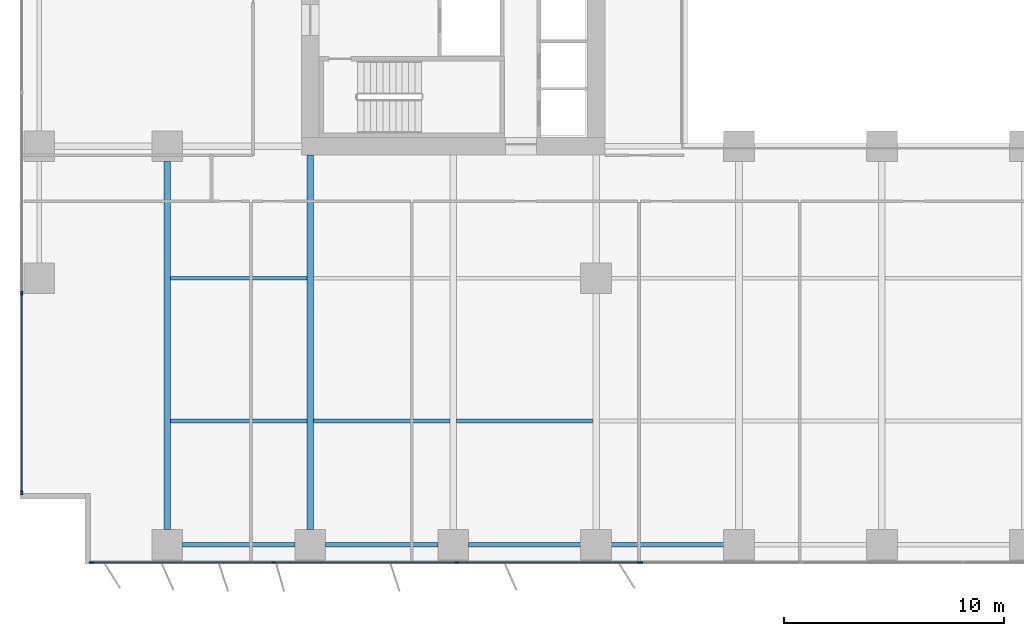
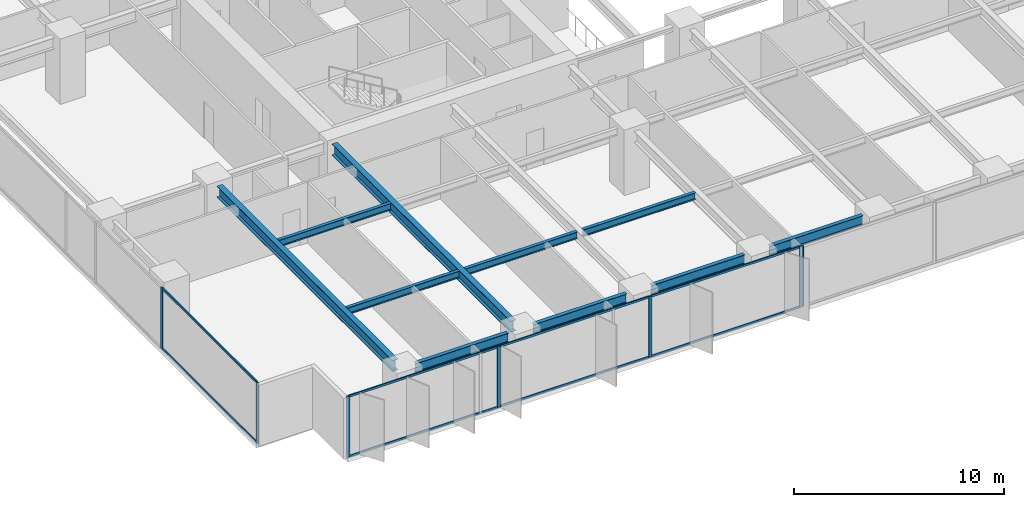
# One storey, part 2 of 20: 15 members, 10 beams, 3 elements without a shape of their own.
"""IFC4 building model written with IfcOpenShell, lengths in metres."""

import ifcopenshell
import ifcopenshell.guid

model = None  # the IFC model being written
_history = None  # IfcOwnerHistory: only IFC2X3 demands one
_inside = {}  # id of a spatial element -> (the spatial element, [elements in it])
_under = {}  # id of a project, library or spatial element -> (it, [spatial elements below it])
_declared = {}  # id of a project -> (the project, [libraries it declares])
_typed = {}  # id of a type object -> (the type object, [elements of that type])
_made_of = {}  # id of a material, layer set ... -> (it, [elements and type objects made of it])


def new_model(schema):
    """Start an empty IFC model of exactly this schema.

    Asked for "IFC4X3", IfcOpenShell would pick the latest addendum, in which some entities
    have other attributes; the version numbers below select the first issue.
    IFC2X3 requires an IfcOwnerHistory on every rooted entity: one is made here for all.
    """
    global model, _history
    if schema == "IFC4X3":
        model = ifcopenshell.file(schema_version=(4, 3, 0, 0))
    else:
        model = ifcopenshell.file(schema=schema)
    _inside.clear()
    _under.clear()
    _declared.clear()
    _typed.clear()
    _made_of.clear()
    _history = None
    if model.schema == "IFC2X3":
        org = make("IfcOrganization", Name="unknown")
        user = make(
            "IfcPersonAndOrganization",
            ThePerson=make("IfcPerson", FamilyName="unknown"),
            TheOrganization=org,
        )
        app = make(
            "IfcApplication",
            ApplicationDeveloper=org,
            Version="unknown",
            ApplicationFullName="unknown",
            ApplicationIdentifier="unknown",
        )
        _history = make(
            "IfcOwnerHistory",
            OwningUser=user,
            OwningApplication=app,
            ChangeAction="ADDED",
            CreationDate=0,
        )
    return model


def make(cls, **values):
    """One entity of the class cls with the attributes given. An attribute that is None is left unset."""
    return model.create_entity(
        cls, **{name: value for name, value in values.items() if value is not None}
    )


def rooted(cls, **values):
    """An entity with a GlobalId (a new one), such as an element, a storey or a relation."""
    return make(cls, GlobalId=ifcopenshell.guid.new(), OwnerHistory=_history, **values)


def si_unit(unit_type, name, prefix=None):
    """IfcSIUnit, for example si_unit("LENGTHUNIT", "METRE", prefix="MILLI")."""
    return make("IfcSIUnit", UnitType=unit_type, Prefix=prefix, Name=name)


def assignment(units):
    """IfcUnitAssignment: the units of a project."""
    return None if units is None else make("IfcUnitAssignment", Units=units)


def point(xyz):
    """IfcCartesianPoint."""
    return None if xyz is None else make("IfcCartesianPoint", Coordinates=xyz)


def direction(xyz):
    """IfcDirection."""
    return None if xyz is None else make("IfcDirection", DirectionRatios=xyz)


def frame(location, z_axis=None, x_axis=None):
    """IfcAxis2Placement3D, a coordinate frame: its origin and axes. An axis left out is left unset."""
    return make(
        "IfcAxis2Placement3D",
        Location=point(location),
        Axis=direction(z_axis),
        RefDirection=direction(x_axis),
    )


def frame_2d(location, x_axis=None):
    """IfcAxis2Placement2D, a coordinate frame in the plane: its origin and x axis."""
    return make(
        "IfcAxis2Placement2D", Location=point(location), RefDirection=direction(x_axis)
    )


def origin():
    """The frame at (0, 0, 0) with its axes left unset."""
    return frame((0.0, 0.0, 0.0))


def origin_2d():
    """The frame at (0, 0) in the plane with its x axis left unset."""
    return frame_2d((0.0, 0.0))


def place(relative_to, where):
    """IfcLocalPlacement: puts the frame where relative to a parent placement (None: the world)."""
    return make(
        "IfcLocalPlacement", PlacementRelTo=relative_to, RelativePlacement=where
    )


def context(
    kind, dimensions, precision=None, world=None, true_north=None, identifier=None
):
    """IfcGeometricRepresentationContext, for example the 3D "Model" context."""
    return make(
        "IfcGeometricRepresentationContext",
        ContextIdentifier=identifier,
        ContextType=kind,
        CoordinateSpaceDimension=dimensions,
        Precision=precision,
        WorldCoordinateSystem=world,
        TrueNorth=true_north,
    )


def subcontext(parent, identifier, kind, view, scale=None):
    """IfcGeometricRepresentationSubContext, for example "Body" below "Model"."""
    return make(
        "IfcGeometricRepresentationSubContext",
        ContextIdentifier=identifier,
        ContextType=kind,
        ParentContext=parent,
        TargetScale=scale,
        TargetView=view,
    )


def project(units=None, contexts=None):
    """IfcProject with its units and contexts."""
    return rooted(
        "IfcProject",
        Name="project",
        RepresentationContexts=contexts,
        UnitsInContext=assignment(units),
    )


def spatial(cls, under=None, at=None, **own):
    """A site, building, storey or space (cls), placed at a placement, below another one or the project."""
    s = rooted(cls, ObjectPlacement=at, **own)
    if under is not None:
        _under.setdefault(under.id(), (under, []))[1].append(s)
    return s


def profile(cls, at=None, kind="AREA", **sizes):
    """A parametric profile (cls). Its sizes go by their IFC names, for example OverallWidth=200.0."""
    return make(cls, ProfileType=kind, Position=at, **sizes)


def rectangle(**sizes):
    """IfcRectangleProfileDef."""
    return profile("IfcRectangleProfileDef", **sizes)


def i_section(**sizes):
    """IfcIShapeProfileDef."""
    return profile("IfcIShapeProfileDef", **sizes)


def extrude(swept, where, along, depth):
    """IfcExtrudedAreaSolid: the profile swept, set in the frame where, extruded along a direction by depth."""
    return make(
        "IfcExtrudedAreaSolid",
        SweptArea=swept,
        Position=where,
        ExtrudedDirection=direction(along),
        Depth=depth,
    )


def shape(context_of_items, identifier, shape_type, items):
    """IfcShapeRepresentation: the items that make up one representation, for example the "Body"."""
    return make(
        "IfcShapeRepresentation",
        ContextOfItems=context_of_items,
        RepresentationIdentifier=identifier,
        RepresentationType=shape_type,
        Items=items,
    )


def material(Name=None, Category=None):
    """IfcMaterial."""
    return make("IfcMaterial", Name=Name, Category=Category)


def layer(
    of_material, thickness, ventilated=None, Name=None, Category=None, Priority=None
):
    """IfcMaterialLayer: one layer of a wall or slab, of a material (None: an air gap)."""
    return make(
        "IfcMaterialLayer",
        Material=of_material,
        LayerThickness=thickness,
        IsVentilated=ventilated,
        Name=Name,
        Category=Category,
        Priority=Priority,
    )


def layer_set(layers, Name=None):
    """IfcMaterialLayerSet."""
    return make("IfcMaterialLayerSet", MaterialLayers=layers, LayerSetName=Name)


def material_profile(
    of_material, cross_section, Name=None, Category=None, Priority=None
):
    """IfcMaterialProfile: a cross section and its material."""
    return make(
        "IfcMaterialProfile",
        Name=Name,
        Material=of_material,
        Profile=cross_section,
        Priority=Priority,
        Category=Category,
    )


def profile_set(profiles, Name=None, composite=None):
    """IfcMaterialProfileSet."""
    return make(
        "IfcMaterialProfileSet",
        Name=Name,
        MaterialProfiles=profiles,
        CompositeProfile=composite,
    )


def made_of(thing, what):
    """Note that an element or type object is made of a material, layer set ...; save() writes the relation."""
    if what is not None:
        _made_of.setdefault(what.id(), (what, []))[1].append(thing)
    return thing


def type_object(cls, material=None, **own):
    """A type object (cls), such as IfcWallType, which elements share."""
    return made_of(rooted(cls, **own), material)


def element(
    cls,
    number,
    at=None,
    inside=None,
    cuts=None,
    type_object=None,
    material=None,
    context=None,
    identifier="Body",
    shape_type=None,
    held_by="IfcProductDefinitionShape",
    body=None,
    shapes=None,
    **own,
):
    """One element of the class cls, such as IfcWall. Its Tag is "e" and its number.

    at: its placement. inside: the storey or other place that contains it. cuts: it is an
    opening in that element (IfcRelVoidsElement). A single representation is given by context,
    identifier, shape_type and body (its items); several are given by shapes. held_by: the class
    of the entity that holds the representations. save() writes the other relations.
    """
    e = rooted(cls, Tag="e%d" % number, ObjectPlacement=at, **own)
    if body is not None:
        shapes = [shape(context, identifier, shape_type, body)]
    if shapes is not None:
        e.Representation = make(held_by, Representations=shapes)
    if inside is not None:
        _inside.setdefault(inside.id(), (inside, []))[1].append(e)
    if cuts is not None:
        rooted(
            "IfcRelVoidsElement", RelatingBuildingElement=cuts, RelatedOpeningElement=e
        )
    if type_object is not None:
        _typed.setdefault(type_object.id(), (type_object, []))[1].append(e)
    return made_of(e, material)


def aggregate(whole, parts):
    """IfcRelAggregates: a whole, such as a stair, and the parts it consists of."""
    return rooted("IfcRelAggregates", RelatingObject=whole, RelatedObjects=parts)


def save(model, path):
    """Write the relations noted so far, then the file.

    IfcRelAggregates (storeys below a building ...), IfcRelContainedInSpatialStructure (elements
    in a storey), IfcRelDefinesByType, IfcRelAssociatesMaterial and IfcRelDeclares: one each for
    every whole, place, type object, material and project.
    """
    for whole, parts in _under.values():
        aggregate(whole, parts)
    for where, things in _inside.values():
        rooted(
            "IfcRelContainedInSpatialStructure",
            RelatedElements=things,
            RelatingStructure=where,
        )
    for kind, things in _typed.values():
        rooted("IfcRelDefinesByType", RelatedObjects=things, RelatingType=kind)
    for what, things in _made_of.values():
        rooted("IfcRelAssociatesMaterial", RelatedObjects=things, RelatingMaterial=what)
    for by, libraries in _declared.values():
        rooted("IfcRelDeclares", RelatingContext=by, RelatedDefinitions=libraries)
    model.write(path)


model = new_model("IFC4")

# Units and contexts
model_context = context("Model", 3, precision=1e-05, world=origin(), true_north=direction((0.0, 1.0)))
body_context = subcontext(model_context, "Body", "Model", "MODEL_VIEW")
ifc_project = project(units=[si_unit("LENGTHUNIT", "METRE"), si_unit("AREAUNIT", "SQUARE_METRE"), si_unit("VOLUMEUNIT", "CUBIC_METRE"), si_unit("PLANEANGLEUNIT", "RADIAN"), si_unit("MASSUNIT", "GRAM", prefix="KILO")], contexts=[model_context])

# Site, building, storey
site_placement = place(None, origin())
site = spatial("IfcSite", under=ifc_project, at=site_placement, CompositionType="ELEMENT")
building_placement = place(site_placement, origin())
building = spatial("IfcBuilding", under=site, at=building_placement, Name="Putna Gate Headquarters", CompositionType="ELEMENT")
storey_placement = place(building_placement, frame((0.0, 0.0, 69.60009765625)))
storey = spatial("IfcBuildingStorey", under=building, at=storey_placement, Name="L16", CompositionType="ELEMENT", Elevation=69.60009765625)

# Beams
ifc_material_1 = material(Name="Steel S355J2", Category="steel")
ifc_material_profile_1 = material_profile(ifc_material_1, i_section(OverallWidth=0.300048828125, OverallDepth=0.64990234375, WebThickness=0.01611328125, FlangeThickness=0.031005859375, at=origin_2d()), Name="Steel S355J2")
ifc_profile_set_1 = profile_set([ifc_material_profile_1], Name="Steel S355J2")
beam_type_1 = type_object("IfcBeamType", Name="BM-GIRD-Z1-HEB650", PredefinedType="USERDEFINED", material=ifc_profile_set_1)
beam_1_placement = place(storey_placement, frame((6.5, 1.568115234375, 3.224853515625), z_axis=(0.0, 1.0, 0.0), x_axis=(-1.0, 0.0, 0.0)))
element("IfcBeam", 1, at=beam_1_placement, inside=storey, type_object=beam_type_1, Name="L16 South Primary Girder X6", ObjectType="GIRDER", PredefinedType="USERDEFINED", context=body_context, shape_type="SweptSolid", body=[
    extrude(i_section(OverallWidth=0.300048828125, OverallDepth=0.64990234375, WebThickness=0.01611328125, FlangeThickness=0.031005859375, at=origin_2d()), origin(), (0.0, 0.0, 1.0), 16.743896484375),
])
beam_2_placement = place(storey_placement, frame((13.0, 1.568115234375, 3.224853515625), z_axis=(0.0, 1.0, 0.0), x_axis=(-1.0, 0.0, 0.0)))
element("IfcBeam", 2, at=beam_2_placement, inside=storey, type_object=beam_type_1, Name="L16 South Primary Girder X13", ObjectType="GIRDER", PredefinedType="USERDEFINED", context=body_context, shape_type="SweptSolid", body=[
    extrude(i_section(OverallWidth=0.300048828125, OverallDepth=0.64990234375, WebThickness=0.01611328125, FlangeThickness=0.031005859375, at=origin_2d()), origin(), (0.0, 0.0, 1.0), 17.046875),
])
ifc_material_profile_2 = material_profile(ifc_material_1, i_section(OverallWidth=0.179931640625, OverallDepth=0.39990234375, WebThickness=0.008544921875, FlangeThickness=0.013427734375, at=origin_2d()), Name="Steel S355J2")
ifc_profile_set_2 = profile_set([ifc_material_profile_2], Name="Steel S355J2")
beam_type_2 = type_object("IfcBeamType", Name="BM-SEC-Z1-IPE400", PredefinedType="BEAM", material=ifc_profile_set_2)
for number, where, z_axis, x_axis, name in (
    (3, (6.654052734375, 6.5, 3.349853515625), (1.0, 0.0, 0.0), (0.0, 1.0, 0.0), "L16 South Secondary Beam 1"),
    (4, (6.654052734375, 13.0, 3.349853515625), (1.0, 0.0, 0.0), (0.0, 1.0, 0.0), "L16 South Secondary Beam 1"),
    (5, (13.154052734375, 6.5, 3.349853515625), (1.0, 0.0, 0.0), (0.0, 1.0, 0.0), "L16 South Secondary Beam 2"),
    (6, (19.654052734375, 6.5, 3.349853515625), (1.0, 0.0, 0.0), (0.0, 1.0, 0.0), "L16 South Secondary Beam 3"),
):
    element("IfcBeam", number, at=place(storey_placement, frame(where, z_axis=z_axis, x_axis=x_axis)), inside=storey, type_object=beam_type_2, Name=name, PredefinedType="BEAM", context=body_context, shape_type="SweptSolid", body=[
        extrude(i_section(OverallWidth=0.179931640625, OverallDepth=0.39990234375, WebThickness=0.008544921875, FlangeThickness=0.013427734375, at=origin_2d()), origin(), (0.0, 0.0, 1.0), 6.19189453125),
    ])
ifc_material_profile_3 = material_profile(ifc_material_1, i_section(OverallWidth=0.2099609375, OverallDepth=0.550048828125, WebThickness=0.010986328125, FlangeThickness=0.01708984375, at=origin_2d()), Name="Steel S355J2")
ifc_profile_set_3 = profile_set([ifc_material_profile_3], Name="Steel S355J2")
beam_type_3 = type_object("IfcBeamType", Name="BM-SPAN-Z1-IPE550", PredefinedType="SPANDREL", material=ifc_profile_set_3)
for number, where, z_axis, x_axis, name in (
    (7, (7.18798828125, 0.8798828125, 3.27490234375), (1.0, 0.0, 0.0), (0.0, 1.0, 0.0), "L16 S Perimeter Spandrel 1"),
    (8, (13.68798828125, 0.8798828125, 3.27490234375), (1.0, 0.0, 0.0), (0.0, 1.0, 0.0), "L16 S Perimeter Spandrel 2"),
    (9, (20.18798828125, 0.8798828125, 3.27490234375), (1.0, 0.0, 0.0), (0.0, 1.0, 0.0), "L16 S Perimeter Spandrel 3"),
    (10, (26.68798828125, 0.8798828125, 3.27490234375), (1.0, 0.0, 0.0), (0.0, 1.0, 0.0), "L16 S Perimeter Spandrel 4"),
):
    element("IfcBeam", number, at=place(storey_placement, frame(where, z_axis=z_axis, x_axis=x_axis)), inside=storey, type_object=beam_type_3, Name=name, PredefinedType="SPANDREL", context=body_context, shape_type="SweptSolid", body=[
        extrude(i_section(OverallWidth=0.2099609375, OverallDepth=0.550048828125, WebThickness=0.010986328125, FlangeThickness=0.01708984375, at=origin_2d()), origin(), (0.0, 0.0, 1.0), 5.1240234375),
    ])

# Curtain wall, members
ifc_material_2 = material(Name="Anodised bronze aluminium curtain wall", Category="aluminium")
ifc_layer_1 = layer(ifc_material_2, 0.179931640625)
ifc_layer_set_1 = layer_set([ifc_layer_1], Name="Anodised bronze aluminium curtain wall")
curtain_wall_type_1 = type_object("IfcCurtainWallType", Name="CW-SYS-Z1", PredefinedType="USERDEFINED", material=ifc_layer_set_1)
curtain_wall_1_placement = place(storey_placement, origin())
curtain_wall_1 = element("IfcCurtainWall", 11, at=curtain_wall_1_placement, inside=storey, type_object=curtain_wall_type_1, Name="L16 South West Curtain Wall", ObjectType="STICK CURTAIN WALL", PredefinedType="USERDEFINED")
ifc_material_3 = material(Name="Anodised bronze aluminium EN AW-6060", Category="aluminium")
ifc_material_profile_4 = material_profile(ifc_material_3, rectangle(XDim=0.070068359375, YDim=0.179931640625, at=origin_2d()), Name="Anodised bronze aluminium EN AW-6060")
ifc_profile_set_4 = profile_set([ifc_material_profile_4], Name="Anodised bronze aluminium EN AW-6060")
member_type_1 = type_object("IfcMemberType", Name="MULL-CWM-1", PredefinedType="MULLION", material=ifc_profile_set_4)
member_1_placement = place(storey_placement, frame((3.034912109375, 0.080078125, 0.0), z_axis=(0.0, 0.0, 1.0), x_axis=(0.0, 1.0, 0.0)))
member_1 = element("IfcMember", 12, at=member_1_placement, type_object=member_type_1, Name="CWS-1 mullion 1", PredefinedType="MULLION", context=body_context, shape_type="SweptSolid", body=[
    extrude(rectangle(XDim=0.070068359375, YDim=0.179931640625, at=origin_2d()), origin(), (0.0, 0.0, 1.0), 3.5498046875),
])
member_2_placement = place(storey_placement, frame((11.333251953125, 0.080078125, 0.0), z_axis=(0.0, 0.0, 1.0), x_axis=(0.0, 1.0, 0.0)))
member_2 = element("IfcMember", 13, at=member_2_placement, type_object=member_type_1, Name="CWS-1 mullion 2", PredefinedType="MULLION", context=body_context, shape_type="SweptSolid", body=[
    extrude(rectangle(XDim=0.070068359375, YDim=0.179931640625, at=origin_2d()), origin(), (0.0, 0.0, 1.0), 3.5498046875),
])
member_3_placement = place(storey_placement, frame((19.666748046875, 0.080078125, 0.0), z_axis=(0.0, 0.0, 1.0), x_axis=(0.0, 1.0, 0.0)))
member_3 = element("IfcMember", 14, at=member_3_placement, type_object=member_type_1, Name="CWS-1 mullion 3", PredefinedType="MULLION", context=body_context, shape_type="SweptSolid", body=[
    extrude(rectangle(XDim=0.070068359375, YDim=0.179931640625, at=origin_2d()), origin(), (0.0, 0.0, 1.0), 3.5498046875),
])
member_4_placement = place(storey_placement, frame((27.965087890625, 0.080078125, 0.0), z_axis=(0.0, 0.0, 1.0), x_axis=(0.0, 1.0, 0.0)))
member_4 = element("IfcMember", 15, at=member_4_placement, type_object=member_type_1, Name="CWS-1 mullion 4", PredefinedType="MULLION", context=body_context, shape_type="SweptSolid", body=[
    extrude(rectangle(XDim=0.070068359375, YDim=0.179931640625, at=origin_2d()), origin(), (0.0, 0.0, 1.0), 3.5498046875),
])

curtain_wall_2_placement = place(storey_placement, origin())
curtain_wall_2 = element("IfcCurtainWall", 16, at=curtain_wall_2_placement, inside=storey, type_object=curtain_wall_type_1, Name="L16 West Curtain Wall", ObjectType="STICK CURTAIN WALL", PredefinedType="USERDEFINED")
member_5_placement = place(storey_placement, frame((-0.1201171875, 3.235107421875, 0.0), z_axis=(0.0, 0.0, 1.0), x_axis=(-1.0, 0.0, 0.0)))
member_5 = element("IfcMember", 17, at=member_5_placement, type_object=member_type_1, Name="CWS-1 mullion 1", PredefinedType="MULLION", context=body_context, shape_type="SweptSolid", body=[
    extrude(rectangle(XDim=0.070068359375, YDim=0.179931640625, at=origin_2d()), origin(), (0.0, 0.0, 1.0), 3.5498046875),
])
member_6_placement = place(storey_placement, frame((-0.1201171875, 12.320068359375, 0.0), z_axis=(0.0, 0.0, 1.0), x_axis=(-1.0, 0.0, 0.0)))
member_6 = element("IfcMember", 18, at=member_6_placement, type_object=member_type_1, Name="CWS-1 mullion 2", PredefinedType="MULLION", context=body_context, shape_type="SweptSolid", body=[
    extrude(rectangle(XDim=0.070068359375, YDim=0.179931640625, at=origin_2d()), origin(), (0.0, 0.0, 1.0), 3.5498046875),
])

# Curtain wall, member
ifc_layer_2 = layer(ifc_material_2, 0.179931640625)
ifc_layer_set_2 = layer_set([ifc_layer_2], Name="Anodised bronze aluminium curtain wall")
curtain_wall_type_2 = type_object("IfcCurtainWallType", Name="CW-SYS-ATR", PredefinedType="USERDEFINED", material=ifc_layer_set_2)
curtain_wall_3_placement = place(storey_placement, origin())
curtain_wall_3 = element("IfcCurtainWall", 19, at=curtain_wall_3_placement, inside=storey, type_object=curtain_wall_type_2, Name="L16 South Atrium Clear Glazing", ObjectType="ATRIUM GLAZING", PredefinedType="USERDEFINED")
ifc_material_profile_5 = material_profile(ifc_material_3, rectangle(XDim=0.070068359375, YDim=0.179931640625, at=origin_2d()), Name="Anodised bronze aluminium EN AW-6060")
ifc_profile_set_5 = profile_set([ifc_material_profile_5], Name="Anodised bronze aluminium EN AW-6060")
member_type_2 = type_object("IfcMemberType", Name="MULL-CWM-AT", PredefinedType="MULLION", material=ifc_profile_set_5)
member_7_placement = place(storey_placement, frame((28.034912109375, 0.080078125, 0.0), z_axis=(0.0, 0.0, 1.0), x_axis=(0.0, 1.0, 0.0)))
member_7 = element("IfcMember", 20, at=member_7_placement, type_object=member_type_2, Name="CWS-AT mullion 1", PredefinedType="MULLION", context=body_context, shape_type="SweptSolid", body=[
    extrude(rectangle(XDim=0.070068359375, YDim=0.179931640625, at=origin_2d()), origin(), (0.0, 0.0, 1.0), 3.5498046875),
])
aggregate(curtain_wall_3, [member_7])

# Member
ifc_material_profile_6 = material_profile(ifc_material_3, rectangle(XDim=0.06494140625, YDim=0.1201171875, at=origin_2d()), Name="Anodised bronze aluminium EN AW-6060")
ifc_profile_set_6 = profile_set([ifc_material_profile_6], Name="Anodised bronze aluminium EN AW-6060")
member_type_3 = type_object("IfcMemberType", Name="TRAN-CWT-1", PredefinedType="USERDEFINED", material=ifc_profile_set_6)
member_8_placement = place(storey_placement, frame((3.070068359375, 0.080078125, 0.032470703125), z_axis=(1.0, 0.0, 0.0), x_axis=(0.0, 1.0, 0.0)))
member_8 = element("IfcMember", 21, at=member_8_placement, type_object=member_type_3, Name="CWS-1 transom 1.1", ObjectType="TRANSOM", PredefinedType="USERDEFINED", context=body_context, shape_type="SweptSolid", body=[
    extrude(rectangle(XDim=0.06494140625, YDim=0.1201171875, at=origin_2d()), origin(), (0.0, 0.0, 1.0), 8.228271484375),
])

member_9_placement = place(storey_placement, frame((3.070068359375, 0.080078125, 3.517333984375), z_axis=(1.0, 0.0, 0.0), x_axis=(0.0, 1.0, 0.0)))
member_9 = element("IfcMember", 22, at=member_9_placement, type_object=member_type_3, Name="CWS-1 transom 1.2", ObjectType="TRANSOM", PredefinedType="USERDEFINED", context=body_context, shape_type="SweptSolid", body=[
    extrude(rectangle(XDim=0.06494140625, YDim=0.1201171875, at=origin_2d()), origin(), (0.0, 0.0, 1.0), 8.228271484375),
])

member_10_placement = place(storey_placement, frame((11.368408203125, 0.080078125, 0.032470703125), z_axis=(1.0, 0.0, 0.0), x_axis=(0.0, 1.0, 0.0)))
member_10 = element("IfcMember", 23, at=member_10_placement, type_object=member_type_3, Name="CWS-1 transom 2.1", ObjectType="TRANSOM", PredefinedType="USERDEFINED", context=body_context, shape_type="SweptSolid", body=[
    extrude(rectangle(XDim=0.06494140625, YDim=0.1201171875, at=origin_2d()), origin(), (0.0, 0.0, 1.0), 8.26318359375),
])

member_11_placement = place(storey_placement, frame((11.368408203125, 0.080078125, 3.517333984375), z_axis=(1.0, 0.0, 0.0), x_axis=(0.0, 1.0, 0.0)))
member_11 = element("IfcMember", 24, at=member_11_placement, type_object=member_type_3, Name="CWS-1 transom 2.2", ObjectType="TRANSOM", PredefinedType="USERDEFINED", context=body_context, shape_type="SweptSolid", body=[
    extrude(rectangle(XDim=0.06494140625, YDim=0.1201171875, at=origin_2d()), origin(), (0.0, 0.0, 1.0), 8.26318359375),
])

member_12_placement = place(storey_placement, frame((19.70166015625, 0.080078125, 0.032470703125), z_axis=(1.0, 0.0, 0.0), x_axis=(0.0, 1.0, 0.0)))
member_12 = element("IfcMember", 25, at=member_12_placement, type_object=member_type_3, Name="CWS-1 transom 3.1", ObjectType="TRANSOM", PredefinedType="USERDEFINED", context=body_context, shape_type="SweptSolid", body=[
    extrude(rectangle(XDim=0.06494140625, YDim=0.1201171875, at=origin_2d()), origin(), (0.0, 0.0, 1.0), 8.228271484375),
])

member_13_placement = place(storey_placement, frame((19.70166015625, 0.080078125, 3.517333984375), z_axis=(1.0, 0.0, 0.0), x_axis=(0.0, 1.0, 0.0)))
member_13 = element("IfcMember", 26, at=member_13_placement, type_object=member_type_3, Name="CWS-1 transom 3.2", ObjectType="TRANSOM", PredefinedType="USERDEFINED", context=body_context, shape_type="SweptSolid", body=[
    extrude(rectangle(XDim=0.06494140625, YDim=0.1201171875, at=origin_2d()), origin(), (0.0, 0.0, 1.0), 8.228271484375),
])

aggregate(curtain_wall_1, [member_1, member_2, member_3, member_4, member_8, member_9, member_10, member_11, member_12, member_13])

member_14_placement = place(storey_placement, frame((-0.1201171875, 3.27001953125, 0.032470703125), z_axis=(0.0, 1.0, 0.0), x_axis=(-1.0, 0.0, 0.0)))
member_14 = element("IfcMember", 27, at=member_14_placement, type_object=member_type_3, Name="CWS-1 transom 1.1", ObjectType="TRANSOM", PredefinedType="USERDEFINED", context=body_context, shape_type="SweptSolid", body=[
    extrude(rectangle(XDim=0.06494140625, YDim=0.1201171875, at=origin_2d()), origin(), (0.0, 0.0, 1.0), 9.014892578125),
])

member_15_placement = place(storey_placement, frame((-0.1201171875, 3.27001953125, 3.517333984375), z_axis=(0.0, 1.0, 0.0), x_axis=(-1.0, 0.0, 0.0)))
member_15 = element("IfcMember", 28, at=member_15_placement, type_object=member_type_3, Name="CWS-1 transom 1.2", ObjectType="TRANSOM", PredefinedType="USERDEFINED", context=body_context, shape_type="SweptSolid", body=[
    extrude(rectangle(XDim=0.06494140625, YDim=0.1201171875, at=origin_2d()), origin(), (0.0, 0.0, 1.0), 9.014892578125),
])

aggregate(curtain_wall_2, [member_5, member_6, member_14, member_15])

save(model, "model.ifc")
